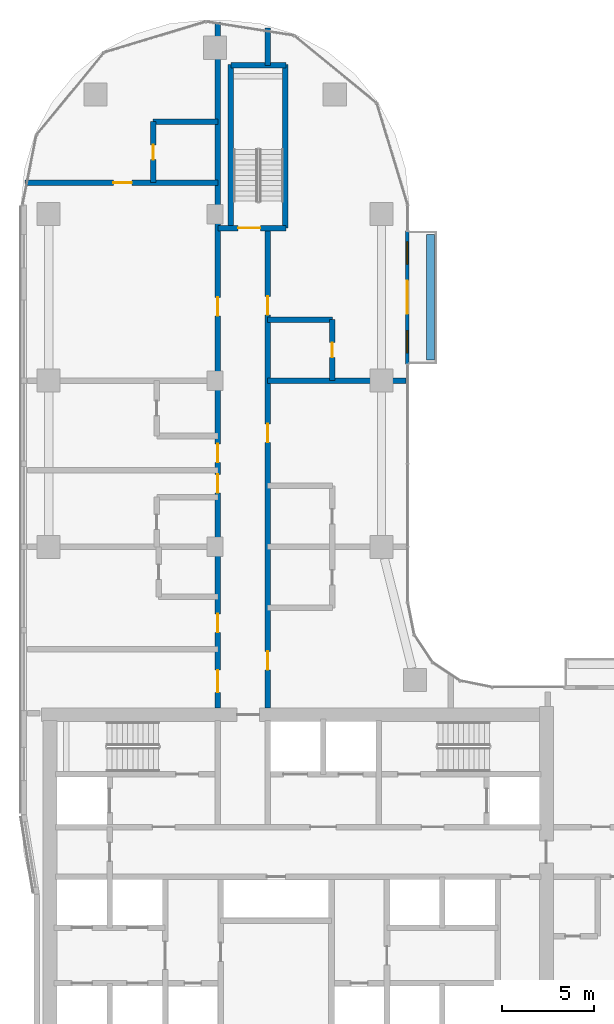
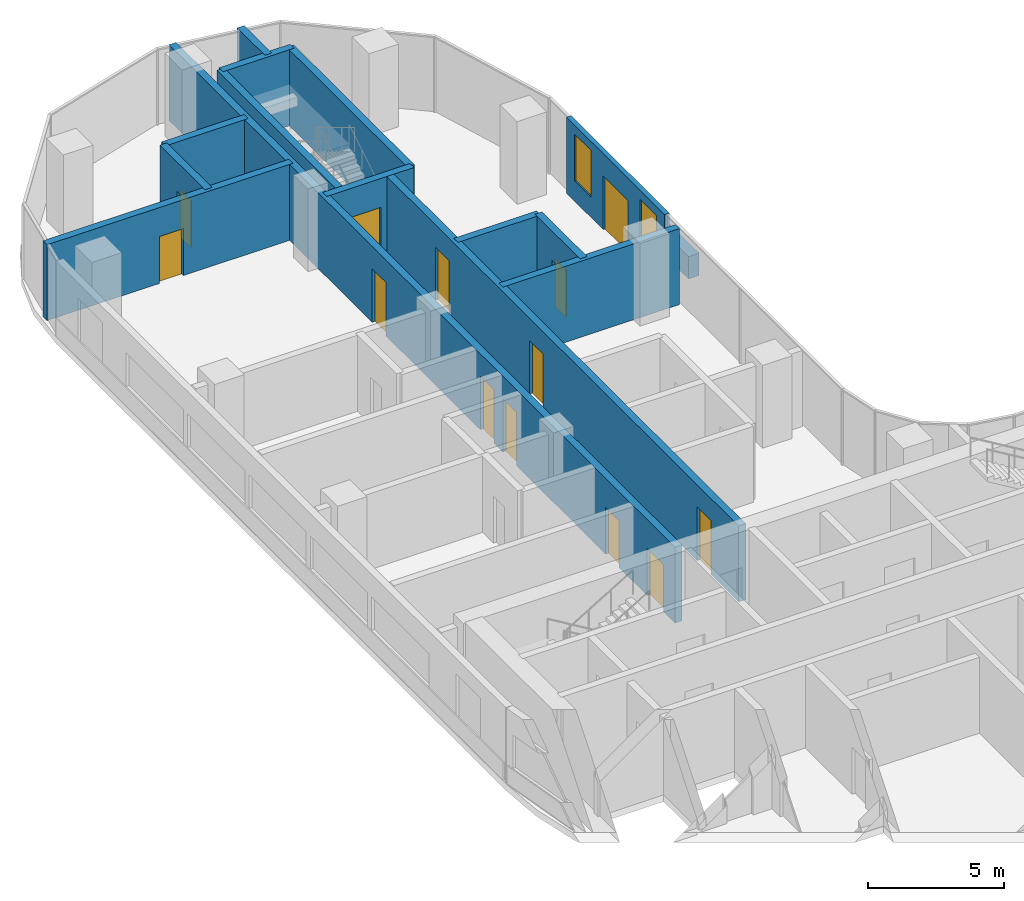
# One storey, part 11 of 21: 15 walls, 13 doors, 2 windows, 15 openings.
"""IFC4 building model written with IfcOpenShell, lengths in metres."""

from ifc_helpers import new_model, si_unit, direction, frame, frame_2d, origin, origin_2d, place, context, subcontext, project, spatial, rectangle, extrude, material, layer, layer_set, type_object, element, fill, save


model = new_model("IFC4")

# Units and contexts
model_context = context("Model", 3, precision=1e-05, world=origin(), true_north=direction((0.0, 1.0)))
body_context = subcontext(model_context, "Body", "Model", "MODEL_VIEW")
ifc_project = project(units=[si_unit("LENGTHUNIT", "METRE"), si_unit("AREAUNIT", "SQUARE_METRE"), si_unit("VOLUMEUNIT", "CUBIC_METRE"), si_unit("PLANEANGLEUNIT", "RADIAN"), si_unit("MASSUNIT", "GRAM", prefix="KILO")], contexts=[model_context])

# Site, building, storey
site_placement = place(None, origin())
site = spatial("IfcSite", under=ifc_project, at=site_placement, CompositionType="ELEMENT")
building_placement = place(site_placement, origin())
building = spatial("IfcBuilding", under=site, at=building_placement, Name="Ogive Portal Towers", CompositionType="ELEMENT")
storey_placement = place(building_placement, frame((0.0, 0.0, 109.300048828125)))
storey = spatial("IfcBuildingStorey", under=building, at=storey_placement, Name="L26", CompositionType="ELEMENT", Elevation=109.300048828125)

# Wall, openings, door, windows
ifc_material_1 = material(Name="Limestone cladding on lightweight block wall", Category="masonry")
ifc_layer_1 = layer(ifc_material_1, 0.199951171875)
ifc_layer_set_1 = layer_set([ifc_layer_1], Name="BALCONY BAY WALL 200")
wall_type_1 = type_object("IfcWallType", Name="BALCONY BAY WALL 200", PredefinedType="SOLIDWALL", material=ifc_layer_set_1)
wall_1_placement = place(storey_placement, frame((50.89990234375, 65.60009765625, 0.0), z_axis=(0.0, 0.0, 1.0), x_axis=(0.0, -1.0, 0.0)))
wall_1 = element("IfcWall", 1, at=wall_1_placement, inside=storey, type_object=wall_type_1, Name="A:L26:f17:bay0", PredefinedType="SOLIDWALL", context=body_context, shape_type="SweptSolid", body=[
    extrude(rectangle(XDim=7.2001953125, YDim=0.199951171875, at=frame_2d((3.60009765625, 0.0))), origin(), (0.0, 0.0, 1.0), 3.39990234375),
])
opening_1_placement = place(wall_1_placement, frame((2.699951171875, 0.0, 0.0)))
opening_1 = element("IfcOpeningElement", 2, at=opening_1_placement, cuts=wall_1, Name="Opening DX036", PredefinedType="OPENING", context=body_context, shape_type="SweptSolid", body=[
    extrude(rectangle(XDim=1.800048828125, YDim=2.39990234375, at=frame_2d((0.89990234375, 1.199951171875))), frame((0.0, 0.10986328125, 0.0), z_axis=(0.0, -1.0, 0.0), x_axis=(1.0, 0.0, 0.0)), (0.0, 0.0, 1.0), 0.219970703125),
])
opening_2_placement = place(wall_1_placement, frame((5.39990234375, 0.0, 0.89990234375)))
opening_2 = element("IfcOpeningElement", 3, at=opening_2_placement, cuts=wall_1, Name="Opening WN2", PredefinedType="OPENING", context=body_context, shape_type="SweptSolid", body=[
    extrude(rectangle(XDim=1.199951171875, YDim=2.10009765625, at=frame_2d((0.60009765625, 1.050048828125))), frame((0.0, 0.10986328125, 0.0), z_axis=(0.0, -1.0, 0.0), x_axis=(1.0, 0.0, 0.0)), (0.0, 0.0, 1.0), 0.219970703125),
])
opening_3_placement = place(wall_1_placement, frame((0.60009765625, 0.0, 0.89990234375)))
opening_3 = element("IfcOpeningElement", 4, at=opening_3_placement, cuts=wall_1, Name="Opening WN2", PredefinedType="OPENING", context=body_context, shape_type="SweptSolid", body=[
    extrude(rectangle(XDim=1.199951171875, YDim=2.10009765625, at=frame_2d((0.60009765625, 1.050048828125))), frame((0.0, 0.10986328125, 0.0), z_axis=(0.0, -1.0, 0.0), x_axis=(1.0, 0.0, 0.0)), (0.0, 0.0, 1.0), 0.219970703125),
])
ifc_material_2 = material(Name="Aluminium 6063 anodised", Category="aluminium")
door_type_1 = type_object("IfcDoorType", Name="BALCONY DOOR 1800x2400", OperationType="DOUBLE_DOOR_SINGLE_SWING", PredefinedType="DOOR", material=ifc_material_2)
door_1_placement = place(opening_1_placement, origin())
door_1 = element("IfcDoor", 5, at=door_1_placement, inside=storey, type_object=door_type_1, Name="A:L26:f17:bay0/o0", OperationType="SINGLE_SWING_LEFT", OverallHeight=2.39990234375, OverallWidth=1.800048828125, PredefinedType="DOOR", context=body_context, shape_type="SweptSolid", body=[
    extrude(rectangle(XDim=1.800048828125, YDim=2.39990234375, at=frame_2d((0.89990234375, 1.199951171875))), frame((0.0, 0.02490234375, 0.0), z_axis=(0.0, -1.0, 0.0), x_axis=(1.0, 0.0, 0.0)), (0.0, 0.0, 1.0), 0.050048828125),
])
fill(opening_1, door_1)
ifc_material_3 = material(Name="Glass, clear low-iron insulated glazing", Category="glass")
window_type = type_object("IfcWindowType", Name="WINDOW BALCONY BAY 1200x2100", PartitioningType="SINGLE_PANEL", PredefinedType="WINDOW", material=ifc_material_3)
window_1_placement = place(opening_2_placement, origin())
window_1 = element("IfcWindow", 6, at=window_1_placement, inside=storey, type_object=window_type, Name="A:L26:f17:bay0/o1", OverallHeight=2.10009765625, OverallWidth=1.199951171875, PartitioningType="SINGLE_PANEL", PredefinedType="WINDOW", context=body_context, shape_type="SweptSolid", body=[
    extrude(rectangle(XDim=1.199951171875, YDim=2.10009765625, at=frame_2d((0.60009765625, 1.050048828125))), frame((0.0, 0.030029296875, 0.0), z_axis=(0.0, -1.0, 0.0), x_axis=(1.0, 0.0, 0.0)), (0.0, 0.0, 1.0), 0.06005859375),
])
fill(opening_2, window_1)
window_2_placement = place(opening_3_placement, origin())
window_2 = element("IfcWindow", 7, at=window_2_placement, inside=storey, type_object=window_type, Name="A:L26:f17:bay0/o2", OverallHeight=2.10009765625, OverallWidth=1.199951171875, PartitioningType="SINGLE_PANEL", PredefinedType="WINDOW", context=body_context, shape_type="SweptSolid", body=[
    extrude(rectangle(XDim=1.199951171875, YDim=2.10009765625, at=frame_2d((0.60009765625, 1.050048828125))), frame((0.0, 0.030029296875, 0.0), z_axis=(0.0, -1.0, 0.0), x_axis=(1.0, 0.0, 0.0)), (0.0, 0.0, 1.0), 0.06005859375),
])
fill(opening_3, window_2)

# Wall
ifc_material_4 = material(Name="Concrete C40/50", Category="concrete")
ifc_layer_2 = layer(ifc_material_4, 0.449951171875)
ifc_layer_set_2 = layer_set([ifc_layer_2], Name="PLANTER WALL 450")
wall_type_2 = type_object("IfcWallType", Name="PLANTER WALL 450", PredefinedType="SOLIDWALL", material=ifc_layer_set_2)
wall_2_placement = place(storey_placement, frame((52.155029296875, 62.0, 0.0), z_axis=(0.0, 0.0, 1.0), x_axis=(1.0, 0.0, 0.0)))
element("IfcWall", 8, at=wall_2_placement, inside=storey, type_object=wall_type_2, Name="Planter S2", PredefinedType="SOLIDWALL", context=body_context, shape_type="SweptSolid", body=[
    extrude(rectangle(XDim=0.449951171875, YDim=6.800048828125, at=origin_2d()), origin(), (0.0, 0.0, 1.0), 1.0),
])

# Wall, opening, door
ifc_material_5 = material(Name="Concrete C50/60", Category="concrete")
ifc_layer_3 = layer(ifc_material_5, 0.300048828125)
ifc_layer_set_3 = layer_set([ifc_layer_3], Name="STAIR WALL 300 C50")
wall_type_3 = type_object("IfcWallType", Name="STAIR WALL 300 C50", PredefinedType="SHEAR", material=ifc_layer_set_3)
wall_3_placement = place(storey_placement, frame((40.64990234375, 65.75, 0.0), z_axis=(0.0, 0.0, 1.0), x_axis=(1.0, 0.0, 0.0)))
wall_3 = element("IfcWall", 9, at=wall_3_placement, inside=storey, type_object=wall_type_3, Name="Stair wall ST-A3 L26", PredefinedType="SHEAR", context=body_context, shape_type="SweptSolid", body=[
    extrude(rectangle(XDim=3.7001953125, YDim=0.300048828125, at=frame_2d((1.85009765625, 0.0))), origin(), (0.0, 0.0, 1.0), 3.39990234375),
])
opening_4_placement = place(wall_3_placement, frame((1.10009765625, 0.0, 0.0)))
opening_4 = element("IfcOpeningElement", 10, at=opening_4_placement, cuts=wall_3, Name="Opening D09-062", PredefinedType="OPENING", context=body_context, shape_type="SweptSolid", body=[
    extrude(rectangle(XDim=1.199951171875, YDim=2.10009765625, at=frame_2d((0.60009765625, 1.050048828125))), frame((0.0, 0.16015625, 0.0), z_axis=(0.0, -1.0, 0.0), x_axis=(1.0, 0.0, 0.0)), (0.0, 0.0, 1.0), 0.320068359375),
])
ifc_material_6 = material(Name="Steel fire door", Category="steel")
door_type_2 = type_object("IfcDoorType", Name="DT-STAIR-1200x2100-FD90S", OperationType="SINGLE_SWING_LEFT", PredefinedType="DOOR", material=ifc_material_6)
door_2_placement = place(opening_4_placement, origin())
door_2 = element("IfcDoor", 11, at=door_2_placement, inside=storey, type_object=door_type_2, Name="Door D09-062", OperationType="SINGLE_SWING_RIGHT", OverallHeight=2.10009765625, OverallWidth=1.199951171875, PredefinedType="DOOR", context=body_context, shape_type="SweptSolid", body=[
    extrude(rectangle(XDim=1.199951171875, YDim=2.10009765625, at=frame_2d((0.60009765625, 1.050048828125))), frame((0.0, 0.02490234375, 0.0), z_axis=(0.0, -1.0, 0.0), x_axis=(1.0, 0.0, 0.0)), (0.0, 0.0, 1.0), 0.050048828125),
])
fill(opening_4, door_2)

# Walls
wall_4_placement = place(storey_placement, frame((41.35009765625, 74.550048828125, 0.0), z_axis=(0.0, 0.0, 1.0), x_axis=(1.0, 0.0, 0.0)))
element("IfcWall", 12, at=wall_4_placement, inside=storey, type_object=wall_type_3, Name="Stair wall ST-A3 L26", PredefinedType="SHEAR", context=body_context, shape_type="SweptSolid", body=[
    extrude(rectangle(XDim=3.0, YDim=0.300048828125, at=frame_2d((1.5, 0.0))), origin(), (0.0, 0.0, 1.0), 3.39990234375),
])
for number, where, z_axis, x_axis, name in (
    (13, (41.35009765625, 65.75, 0.0), (0.0, 0.0, 1.0), (0.0, 1.0, 0.0), "Stair wall ST-A3 L26"),
    (14, (44.300048828125, 65.75, 0.0), (0.0, 0.0, 1.0), (0.0, 1.0, 0.0), "Stair wall ST-A3 L26"),
):
    element("IfcWall", number, at=place(storey_placement, frame(where, z_axis=z_axis, x_axis=x_axis)), inside=storey, type_object=wall_type_3, Name=name, PredefinedType="SHEAR", context=body_context, shape_type="SweptSolid", body=[
        extrude(rectangle(XDim=8.85009765625, YDim=0.300048828125, at=frame_2d((4.425048828125, 0.0))), origin(), (0.0, 0.0, 1.0), 3.39990234375),
    ])
ifc_material_7 = material(Name="Gypsum board partition on steel studs", Category="steel")
ifc_layer_4 = layer(ifc_material_7, 0.300048828125)
ifc_layer_set_4 = layer_set([ifc_layer_4], Name="WT-PART-300-EI 60")
wall_type_4 = type_object("IfcWallType", Name="WT-PART-300-EI 60", PredefinedType="PARTITIONING", material=ifc_layer_set_4)
wall_5_placement = place(storey_placement, frame((43.35009765625, 57.5, 0.0), z_axis=(0.0, 0.0, 1.0), x_axis=(1.0, 0.0, 0.0)))
element("IfcWall", 15, at=wall_5_placement, inside=storey, type_object=wall_type_4, Name="Wall L26:w026", PredefinedType="PARTITIONING", context=body_context, shape_type="SweptSolid", body=[
    extrude(rectangle(XDim=7.47998046875, YDim=0.300048828125, at=frame_2d((3.739990234375, 0.0))), origin(), (0.0, 0.0, 1.0), 3.39990234375),
])
wall_6_placement = place(storey_placement, frame((43.35009765625, 60.800048828125, 0.0), z_axis=(0.0, 0.0, 1.0), x_axis=(1.0, 0.0, 0.0)))
element("IfcWall", 16, at=wall_6_placement, inside=storey, type_object=wall_type_4, Name="Wall L26:w027", PredefinedType="PARTITIONING", context=body_context, shape_type="SweptSolid", body=[
    extrude(rectangle(XDim=3.5, YDim=0.300048828125, at=frame_2d((1.75, 0.0))), origin(), (0.0, 0.0, 1.0), 3.39990234375),
])

# Wall, opening, door
wall_7_placement = place(storey_placement, frame((30.22900390625, 68.199951171875, 0.0), z_axis=(0.0, 0.0, 1.0), x_axis=(1.0, 0.0, 0.0)))
wall_7 = element("IfcWall", 17, at=wall_7_placement, inside=storey, type_object=wall_type_4, Name="Wall L26:w029", PredefinedType="PARTITIONING", context=body_context, shape_type="SweptSolid", body=[
    extrude(rectangle(XDim=10.4208984375, YDim=0.300048828125, at=frame_2d((5.21044921875, 0.0))), origin(), (0.0, 0.0, 1.0), 3.39990234375),
])
opening_5_placement = place(wall_7_placement, frame((4.77099609375, 0.0, 0.0)))
opening_5 = element("IfcOpeningElement", 18, at=opening_5_placement, cuts=wall_7, Name="Opening D09-056", PredefinedType="OPENING", context=body_context, shape_type="SweptSolid", body=[
    extrude(rectangle(XDim=1.0, YDim=2.10009765625, at=frame_2d((0.5, 1.050048828125))), frame((0.0, 0.16015625, 0.0), z_axis=(0.0, -1.0, 0.0), x_axis=(1.0, 0.0, 0.0)), (0.0, 0.0, 1.0), 0.320068359375),
])
door_type_3 = type_object("IfcDoorType", Name="DT-ENTRY-1000x2100-FD60S", OperationType="SINGLE_SWING_LEFT", PredefinedType="DOOR", material=ifc_material_6)
door_3_placement = place(opening_5_placement, origin())
door_3 = element("IfcDoor", 19, at=door_3_placement, inside=storey, type_object=door_type_3, Name="Door D09-056", OperationType="SINGLE_SWING_RIGHT", OverallHeight=2.10009765625, OverallWidth=1.0, PredefinedType="DOOR", context=body_context, shape_type="SweptSolid", body=[
    extrude(rectangle(XDim=1.0, YDim=2.10009765625, at=frame_2d((0.5, 1.050048828125))), frame((0.0, 0.02490234375, 0.0), z_axis=(0.0, -1.0, 0.0), x_axis=(1.0, 0.0, 0.0)), (0.0, 0.0, 1.0), 0.050048828125),
])
fill(opening_5, door_3)

# Wall
wall_8_placement = place(storey_placement, frame((37.14990234375, 71.5, 0.0), z_axis=(0.0, 0.0, 1.0), x_axis=(1.0, 0.0, 0.0)))
element("IfcWall", 20, at=wall_8_placement, inside=storey, type_object=wall_type_4, Name="Wall L26:w030", PredefinedType="PARTITIONING", context=body_context, shape_type="SweptSolid", body=[
    extrude(rectangle(XDim=3.5, YDim=0.300048828125, at=frame_2d((1.75, 0.0))), origin(), (0.0, 0.0, 1.0), 3.39990234375),
])

# Wall, opening, door
wall_9_placement = place(storey_placement, frame((37.14990234375, 68.199951171875, 0.0), z_axis=(0.0, 0.0, 1.0), x_axis=(0.0, 1.0, 0.0)))
wall_9 = element("IfcWall", 21, at=wall_9_placement, inside=storey, type_object=wall_type_4, Name="Wall L26:w032", PredefinedType="PARTITIONING", context=body_context, shape_type="SweptSolid", body=[
    extrude(rectangle(XDim=3.300048828125, YDim=0.300048828125, at=frame_2d((1.64990234375, 0.0))), origin(), (0.0, 0.0, 1.0), 3.39990234375),
])
opening_6_placement = place(wall_9_placement, frame((1.25, 0.0, 0.0)))
opening_6 = element("IfcOpeningElement", 22, at=opening_6_placement, cuts=wall_9, Name="Opening D09-057", PredefinedType="OPENING", context=body_context, shape_type="SweptSolid", body=[
    extrude(rectangle(XDim=0.800048828125, YDim=2.10009765625, at=frame_2d((0.39990234375, 1.050048828125))), frame((0.0, 0.16015625, 0.0), z_axis=(0.0, -1.0, 0.0), x_axis=(1.0, 0.0, 0.0)), (0.0, 0.0, 1.0), 0.320068359375),
])
door_type_4 = type_object("IfcDoorType", Name="DT-BATH-800x2100-FD60S", OperationType="SINGLE_SWING_LEFT", PredefinedType="DOOR", material=ifc_material_6)
door_4_placement = place(opening_6_placement, origin())
door_4 = element("IfcDoor", 23, at=door_4_placement, inside=storey, type_object=door_type_4, Name="Door D09-057", OperationType="SINGLE_SWING_LEFT", OverallHeight=2.10009765625, OverallWidth=0.800048828125, PredefinedType="DOOR", context=body_context, shape_type="SweptSolid", body=[
    extrude(rectangle(XDim=0.800048828125, YDim=2.10009765625, at=frame_2d((0.39990234375, 1.050048828125))), frame((0.0, 0.02490234375, 0.0), z_axis=(0.0, -1.0, 0.0), x_axis=(1.0, 0.0, 0.0)), (0.0, 0.0, 1.0), 0.050048828125),
])
fill(opening_6, door_4)

# Wall, openings, doors
wall_10_placement = place(storey_placement, frame((40.64990234375, 39.800048828125, 0.0), z_axis=(0.0, 0.0, 1.0), x_axis=(0.0, 1.0, 0.0)))
wall_10 = element("IfcWall", 24, at=wall_10_placement, inside=storey, type_object=wall_type_4, Name="Wall L26:w036", PredefinedType="PARTITIONING", context=body_context, shape_type="SweptSolid", body=[
    extrude(rectangle(XDim=37.08984375, YDim=0.300048828125, at=frame_2d((18.544921875, 0.0))), origin(), (0.0, 0.0, 1.0), 3.39990234375),
])
opening_7_placement = place(wall_10_placement, frame((0.8349609375, 0.0, 0.0)))
opening_7 = element("IfcOpeningElement", 25, at=opening_7_placement, cuts=wall_10, Name="Opening D09-044", PredefinedType="OPENING", context=body_context, shape_type="SweptSolid", body=[
    extrude(rectangle(XDim=1.199951171875, YDim=2.10009765625, at=frame_2d((0.60009765625, 1.050048828125))), frame((0.0, 0.16015625, 0.0), z_axis=(0.0, -1.0, 0.0), x_axis=(1.0, 0.0, 0.0)), (0.0, 0.0, 1.0), 0.320068359375),
])
opening_8_placement = place(wall_10_placement, frame((4.0849609375, 0.0, 0.0)))
opening_8 = element("IfcOpeningElement", 26, at=opening_8_placement, cuts=wall_10, Name="Opening D09-046", PredefinedType="OPENING", context=body_context, shape_type="SweptSolid", body=[
    extrude(rectangle(XDim=1.0, YDim=2.10009765625, at=frame_2d((0.5, 1.050048828125))), frame((0.0, 0.16015625, 0.0), z_axis=(0.0, -1.0, 0.0), x_axis=(1.0, 0.0, 0.0)), (0.0, 0.0, 1.0), 0.320068359375),
])
opening_9_placement = place(wall_10_placement, frame((11.6201171875, 0.0, 0.0)))
opening_9 = element("IfcOpeningElement", 27, at=opening_9_placement, cuts=wall_10, Name="Opening D09-050", PredefinedType="OPENING", context=body_context, shape_type="SweptSolid", body=[
    extrude(rectangle(XDim=1.0, YDim=2.39990234375, at=frame_2d((0.5, 1.199951171875))), frame((0.0, 0.16015625, 0.0), z_axis=(0.0, -1.0, 0.0), x_axis=(1.0, 0.0, 0.0)), (0.0, 0.0, 1.0), 0.320068359375),
])
opening_10_placement = place(wall_10_placement, frame((13.27001953125, 0.0, 0.0)))
opening_10 = element("IfcOpeningElement", 28, at=opening_10_placement, cuts=wall_10, Name="Opening D09-052", PredefinedType="OPENING", context=body_context, shape_type="SweptSolid", body=[
    extrude(rectangle(XDim=1.0, YDim=2.39990234375, at=frame_2d((0.5, 1.199951171875))), frame((0.0, 0.16015625, 0.0), z_axis=(0.0, -1.0, 0.0), x_axis=(1.0, 0.0, 0.0)), (0.0, 0.0, 1.0), 0.320068359375),
])
opening_11_placement = place(wall_10_placement, frame((21.199951171875, 0.0, 0.0)))
opening_11 = element("IfcOpeningElement", 29, at=opening_11_placement, cuts=wall_10, Name="Opening D09-055", PredefinedType="OPENING", context=body_context, shape_type="SweptSolid", body=[
    extrude(rectangle(XDim=1.0, YDim=2.39990234375, at=frame_2d((0.5, 1.199951171875))), frame((0.0, 0.16015625, 0.0), z_axis=(0.0, -1.0, 0.0), x_axis=(1.0, 0.0, 0.0)), (0.0, 0.0, 1.0), 0.320068359375),
])
door_5_placement = place(opening_8_placement, origin())
door_5 = element("IfcDoor", 30, at=door_5_placement, inside=storey, type_object=door_type_3, Name="Door D09-046", OperationType="SINGLE_SWING_LEFT", OverallHeight=2.10009765625, OverallWidth=1.0, PredefinedType="DOOR", context=body_context, shape_type="SweptSolid", body=[
    extrude(rectangle(XDim=1.0, YDim=2.10009765625, at=frame_2d((0.5, 1.050048828125))), frame((0.0, 0.02490234375, 0.0), z_axis=(0.0, -1.0, 0.0), x_axis=(1.0, 0.0, 0.0)), (0.0, 0.0, 1.0), 0.050048828125),
])
fill(opening_8, door_5)
door_type_5 = type_object("IfcDoorType", Name="DT-ENTRY-1000x2400-FD60S", OperationType="SINGLE_SWING_LEFT", PredefinedType="DOOR", material=ifc_material_6)
door_6_placement = place(opening_9_placement, origin())
door_6 = element("IfcDoor", 31, at=door_6_placement, inside=storey, type_object=door_type_5, Name="Door D09-050", OperationType="SINGLE_SWING_LEFT", OverallHeight=2.39990234375, OverallWidth=1.0, PredefinedType="DOOR", context=body_context, shape_type="SweptSolid", body=[
    extrude(rectangle(XDim=1.0, YDim=2.39990234375, at=frame_2d((0.5, 1.199951171875))), frame((0.0, 0.02490234375, 0.0), z_axis=(0.0, -1.0, 0.0), x_axis=(1.0, 0.0, 0.0)), (0.0, 0.0, 1.0), 0.050048828125),
])
fill(opening_9, door_6)
door_7_placement = place(opening_10_placement, origin())
door_7 = element("IfcDoor", 32, at=door_7_placement, inside=storey, type_object=door_type_5, Name="Door D09-052", OperationType="SINGLE_SWING_LEFT", OverallHeight=2.39990234375, OverallWidth=1.0, PredefinedType="DOOR", context=body_context, shape_type="SweptSolid", body=[
    extrude(rectangle(XDim=1.0, YDim=2.39990234375, at=frame_2d((0.5, 1.199951171875))), frame((0.0, 0.02490234375, 0.0), z_axis=(0.0, -1.0, 0.0), x_axis=(1.0, 0.0, 0.0)), (0.0, 0.0, 1.0), 0.050048828125),
])
fill(opening_10, door_7)
door_8_placement = place(opening_11_placement, origin())
door_8 = element("IfcDoor", 33, at=door_8_placement, inside=storey, type_object=door_type_5, Name="Door D09-055", OperationType="SINGLE_SWING_LEFT", OverallHeight=2.39990234375, OverallWidth=1.0, PredefinedType="DOOR", context=body_context, shape_type="SweptSolid", body=[
    extrude(rectangle(XDim=1.0, YDim=2.39990234375, at=frame_2d((0.5, 1.199951171875))), frame((0.0, 0.02490234375, 0.0), z_axis=(0.0, -1.0, 0.0), x_axis=(1.0, 0.0, 0.0)), (0.0, 0.0, 1.0), 0.050048828125),
])
fill(opening_11, door_8)
door_type_6 = type_object("IfcDoorType", Name="DT-ENTRY-1200x2100-FD60S", OperationType="SINGLE_SWING_LEFT", PredefinedType="DOOR", material=ifc_material_6)
door_9_placement = place(opening_7_placement, origin())
door_9 = element("IfcDoor", 34, at=door_9_placement, inside=storey, type_object=door_type_6, Name="Door D09-044", OperationType="SINGLE_SWING_RIGHT", OverallHeight=2.10009765625, OverallWidth=1.199951171875, PredefinedType="DOOR", context=body_context, shape_type="SweptSolid", body=[
    extrude(rectangle(XDim=1.199951171875, YDim=2.10009765625, at=frame_2d((0.60009765625, 1.050048828125))), frame((0.0, 0.02490234375, 0.0), z_axis=(0.0, -1.0, 0.0), x_axis=(1.0, 0.0, 0.0)), (0.0, 0.0, 1.0), 0.050048828125),
])
fill(opening_7, door_9)

# Wall, opening, door
wall_11_placement = place(storey_placement, frame((46.85009765625, 57.5, 0.0), z_axis=(0.0, 0.0, 1.0), x_axis=(0.0, 1.0, 0.0)))
wall_11 = element("IfcWall", 35, at=wall_11_placement, inside=storey, type_object=wall_type_4, Name="Wall L26:w042", PredefinedType="PARTITIONING", context=body_context, shape_type="SweptSolid", body=[
    extrude(rectangle(XDim=3.300048828125, YDim=0.300048828125, at=frame_2d((1.64990234375, 0.0))), origin(), (0.0, 0.0, 1.0), 3.39990234375),
])
opening_12_placement = place(wall_11_placement, frame((1.25, 0.0, 0.0)))
opening_12 = element("IfcOpeningElement", 36, at=opening_12_placement, cuts=wall_11, Name="Opening D09-053", PredefinedType="OPENING", context=body_context, shape_type="SweptSolid", body=[
    extrude(rectangle(XDim=0.800048828125, YDim=2.10009765625, at=frame_2d((0.39990234375, 1.050048828125))), frame((0.0, 0.16015625, 0.0), z_axis=(0.0, -1.0, 0.0), x_axis=(1.0, 0.0, 0.0)), (0.0, 0.0, 1.0), 0.320068359375),
])
door_10_placement = place(opening_12_placement, origin())
door_10 = element("IfcDoor", 37, at=door_10_placement, inside=storey, type_object=door_type_4, Name="Door D09-053", OperationType="SINGLE_SWING_LEFT", OverallHeight=2.10009765625, OverallWidth=0.800048828125, PredefinedType="DOOR", context=body_context, shape_type="SweptSolid", body=[
    extrude(rectangle(XDim=0.800048828125, YDim=2.10009765625, at=frame_2d((0.39990234375, 1.050048828125))), frame((0.0, 0.02490234375, 0.0), z_axis=(0.0, -1.0, 0.0), x_axis=(1.0, 0.0, 0.0)), (0.0, 0.0, 1.0), 0.050048828125),
])
fill(opening_12, door_10)

# Wall, openings, doors
ifc_layer_5 = layer(ifc_material_4, 0.300048828125)
ifc_layer_set_5 = layer_set([ifc_layer_5], Name="WT-SHAFT-300")
wall_type_5 = type_object("IfcWallType", Name="WT-SHAFT-300", PredefinedType="SOLIDWALL", material=ifc_layer_set_5)
wall_12_placement = place(storey_placement, frame((43.35009765625, 39.800048828125, 0.0), z_axis=(0.0, 0.0, 1.0), x_axis=(0.0, 1.0, 0.0)))
wall_12 = element("IfcWall", 38, at=wall_12_placement, inside=storey, type_object=wall_type_5, Name="Wall L26:w038", PredefinedType="SOLIDWALL", context=body_context, shape_type="SweptSolid", body=[
    extrude(rectangle(XDim=26.0, YDim=0.300048828125, at=frame_2d((13.0, 0.0))), origin(), (0.0, 0.0, 1.0), 3.39990234375),
])
opening_13_placement = place(wall_12_placement, frame((2.050048828125, 0.0, 0.0)))
opening_13 = element("IfcOpeningElement", 39, at=opening_13_placement, cuts=wall_12, Name="Opening D09-043", PredefinedType="OPENING", context=body_context, shape_type="SweptSolid", body=[
    extrude(rectangle(XDim=1.0, YDim=2.39990234375, at=frame_2d((0.5, 1.199951171875))), frame((0.0, 0.16015625, 0.0), z_axis=(0.0, -1.0, 0.0), x_axis=(1.0, 0.0, 0.0)), (0.0, 0.0, 1.0), 0.320068359375),
])
opening_14_placement = place(wall_12_placement, frame((14.35009765625, 0.0, 0.0)))
opening_14 = element("IfcOpeningElement", 40, at=opening_14_placement, cuts=wall_12, Name="Opening D09-048", PredefinedType="OPENING", context=body_context, shape_type="SweptSolid", body=[
    extrude(rectangle(XDim=1.0, YDim=2.39990234375, at=frame_2d((0.5, 1.199951171875))), frame((0.0, 0.16015625, 0.0), z_axis=(0.0, -1.0, 0.0), x_axis=(1.0, 0.0, 0.0)), (0.0, 0.0, 1.0), 0.320068359375),
])
opening_15_placement = place(wall_12_placement, frame((21.25, 0.0, 0.0)))
opening_15 = element("IfcOpeningElement", 41, at=opening_15_placement, cuts=wall_12, Name="Opening D09-054", PredefinedType="OPENING", context=body_context, shape_type="SweptSolid", body=[
    extrude(rectangle(XDim=1.0, YDim=2.39990234375, at=frame_2d((0.5, 1.199951171875))), frame((0.0, 0.16015625, 0.0), z_axis=(0.0, -1.0, 0.0), x_axis=(1.0, 0.0, 0.0)), (0.0, 0.0, 1.0), 0.320068359375),
])
door_type_7 = type_object("IfcDoorType", Name="DT-ENTRY-1000x2400-FD90S", OperationType="SINGLE_SWING_LEFT", PredefinedType="DOOR", material=ifc_material_6)
door_11_placement = place(opening_13_placement, origin())
door_11 = element("IfcDoor", 42, at=door_11_placement, inside=storey, type_object=door_type_7, Name="Door D09-043", OperationType="SINGLE_SWING_LEFT", OverallHeight=2.39990234375, OverallWidth=1.0, PredefinedType="DOOR", context=body_context, shape_type="SweptSolid", body=[
    extrude(rectangle(XDim=1.0, YDim=2.39990234375, at=frame_2d((0.5, 1.199951171875))), frame((0.0, 0.02490234375, 0.0), z_axis=(0.0, -1.0, 0.0), x_axis=(1.0, 0.0, 0.0)), (0.0, 0.0, 1.0), 0.050048828125),
])
fill(opening_13, door_11)
door_12_placement = place(opening_14_placement, origin())
door_12 = element("IfcDoor", 43, at=door_12_placement, inside=storey, type_object=door_type_7, Name="Door D09-048", OperationType="SINGLE_SWING_RIGHT", OverallHeight=2.39990234375, OverallWidth=1.0, PredefinedType="DOOR", context=body_context, shape_type="SweptSolid", body=[
    extrude(rectangle(XDim=1.0, YDim=2.39990234375, at=frame_2d((0.5, 1.199951171875))), frame((0.0, 0.02490234375, 0.0), z_axis=(0.0, -1.0, 0.0), x_axis=(1.0, 0.0, 0.0)), (0.0, 0.0, 1.0), 0.050048828125),
])
fill(opening_14, door_12)
door_13_placement = place(opening_15_placement, origin())
door_13 = element("IfcDoor", 44, at=door_13_placement, inside=storey, type_object=door_type_7, Name="Door D09-054", OperationType="SINGLE_SWING_RIGHT", OverallHeight=2.39990234375, OverallWidth=1.0, PredefinedType="DOOR", context=body_context, shape_type="SweptSolid", body=[
    extrude(rectangle(XDim=1.0, YDim=2.39990234375, at=frame_2d((0.5, 1.199951171875))), frame((0.0, 0.02490234375, 0.0), z_axis=(0.0, -1.0, 0.0), x_axis=(1.0, 0.0, 0.0)), (0.0, 0.0, 1.0), 0.050048828125),
])
fill(opening_15, door_13)

# Wall
wall_13_placement = place(storey_placement, frame((43.35009765625, 74.550048828125, 0.0), z_axis=(0.0, 0.0, 1.0), x_axis=(0.0, 1.0, 0.0)))
element("IfcWall", 45, at=wall_13_placement, inside=storey, type_object=wall_type_5, Name="Wall L26:w039", PredefinedType="SOLIDWALL", context=body_context, shape_type="SweptSolid", body=[
    extrude(rectangle(XDim=2.02197265625, YDim=0.300048828125, at=frame_2d((1.010986328125, 0.0))), origin(), (0.0, 0.0, 1.0), 3.39990234375),
])

save(model, "model.ifc")
